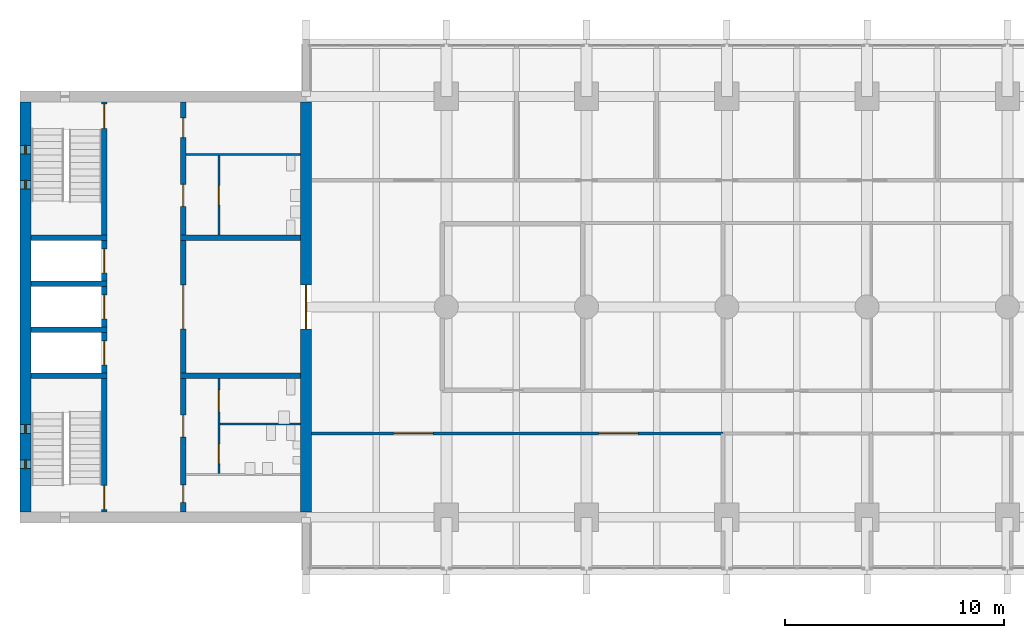
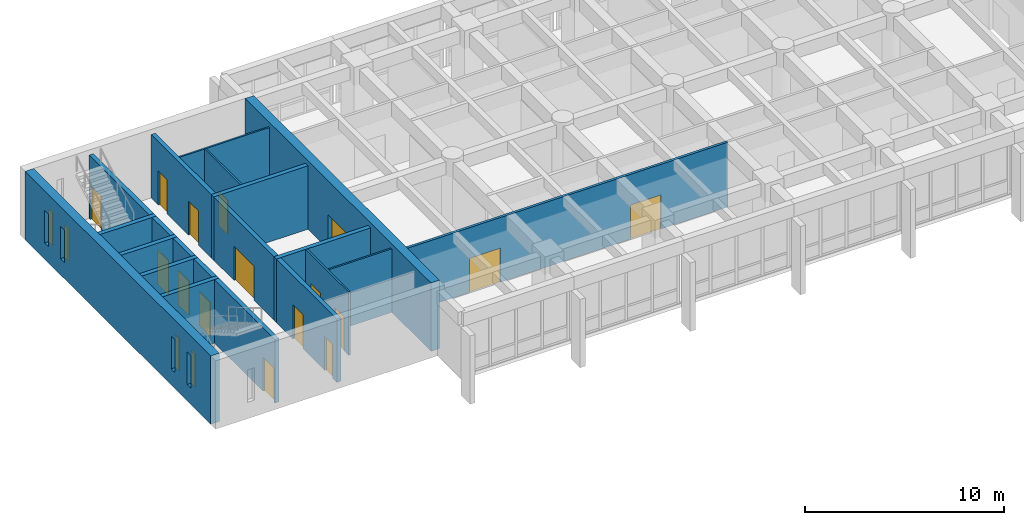
# One storey, part 11 of 18: 21 walls, 16 doors, 4 windows, 20 openings.
"""IFC4 building model written with IfcOpenShell, lengths in metres."""

from ifc_helpers import new_model, si_unit, direction, frame, frame_2d, origin, place, context, subcontext, project, spatial, rectangle, extrude, material, layer, layer_set, type_object, element, fill, save


model = new_model("IFC4")

# Units and contexts
model_context = context("Model", 3, precision=1e-05, world=origin(), true_north=direction((0.0, 1.0)))
body_context = subcontext(model_context, "Body", "Model", "MODEL_VIEW")
ifc_project = project(units=[si_unit("LENGTHUNIT", "METRE"), si_unit("AREAUNIT", "SQUARE_METRE"), si_unit("VOLUMEUNIT", "CUBIC_METRE"), si_unit("PLANEANGLEUNIT", "RADIAN"), si_unit("MASSUNIT", "GRAM", prefix="KILO")], contexts=[model_context])

# Site, building, storey
site_placement = place(None, origin())
site = spatial("IfcSite", under=ifc_project, at=site_placement, CompositionType="ELEMENT")
building_placement = place(site_placement, origin())
building = spatial("IfcBuilding", under=site, at=building_placement, Name="Fogon Plaza Fire Station and Headquarters Tower", CompositionType="ELEMENT")
storey_placement = place(building_placement, frame((0.0, 0.0, 12.89990234375)))
storey = spatial("IfcBuildingStorey", under=building, at=storey_placement, Name="L03", CompositionType="ELEMENT", Elevation=12.89990234375)

# Walls
ifc_material_1 = material(Name="Concrete C40", Category="concrete")
ifc_layer_1 = layer(ifc_material_1, 0.25)
ifc_layer_set_1 = layer_set([ifc_layer_1], Name="Concrete C40")
wall_type_1 = type_object("IfcWallType", Name="Core Wall RC 250", PredefinedType="SOLIDWALL", material=ifc_layer_set_1)
for number, where, z_axis, x_axis, name in (
    (1, (13.050048828125, 40.050048828125, 0.0), (0.0, 0.0, 1.0), (1.0, 0.0, 0.0), "Core A shaft wall"),
    (2, (13.050048828125, 42.14990234375, 0.0), (0.0, 0.0, 1.0), (1.0, 0.0, 0.0), "Core A shaft wall"),
    (3, (13.050048828125, 44.25, 0.0), (0.0, 0.0, 1.0), (1.0, 0.0, 0.0), "Core A shaft wall"),
    (4, (13.050048828125, 46.35009765625, 0.0), (0.0, 0.0, 1.0), (1.0, 0.0, 0.0), "Core A shaft wall"),
):
    element("IfcWall", number, at=place(storey_placement, frame(where, z_axis=z_axis, x_axis=x_axis)), inside=storey, type_object=wall_type_1, Name=name, PredefinedType="SOLIDWALL", context=body_context, shape_type="SweptSolid", body=[
        extrude(rectangle(XDim=3.474853515625, YDim=0.25, at=frame_2d((1.7373046875, 0.0))), origin(), (0.0, 0.0, 1.0), 3.900146484375),
    ])

# Wall, opening, door
wall_1_placement = place(storey_placement, frame((16.39990234375, 33.85009765625, 0.0), z_axis=(0.0, 0.0, 1.0), x_axis=(0.0, 1.0, 0.0)))
wall_1 = element("IfcWall", 5, at=wall_1_placement, inside=storey, type_object=wall_type_1, Name="Core A shaft wall", PredefinedType="SOLIDWALL", context=body_context, shape_type="SweptSolid", body=[
    extrude(rectangle(XDim=6.074951171875, YDim=0.25, at=frame_2d((3.03759765625, 0.0))), origin(), (0.0, 0.0, 1.0), 3.900146484375),
])
opening_1_placement = place(wall_1_placement, frame((0.10009765625, 0.0, 0.0)))
opening_1 = element("IfcOpeningElement", 6, at=opening_1_placement, cuts=wall_1, Name="Opening L03-D01", PredefinedType="OPENING", context=body_context, shape_type="SweptSolid", body=[
    extrude(rectangle(XDim=1.10009765625, YDim=2.10009765625, at=frame_2d((0.550048828125, 1.050048828125))), frame((0.0, 0.135009765625, 0.0), z_axis=(0.0, -1.0, 0.0), x_axis=(1.0, 0.0, 0.0)), (0.0, 0.0, 1.0), 0.27001953125),
])
ifc_material_2 = material(Name="Steel Fire Door Leaf", Category="steel")
door_type_1 = type_object("IfcDoorType", Name="Stair Door Single 1100x2100", OperationType="SINGLE_SWING_LEFT", PredefinedType="DOOR", material=ifc_material_2)
door_1_placement = place(opening_1_placement, origin())
door_1 = element("IfcDoor", 7, at=door_1_placement, inside=storey, type_object=door_type_1, Name="Stair door ST1", OperationType="SINGLE_SWING_LEFT", OverallHeight=2.10009765625, OverallWidth=1.10009765625, PredefinedType="DOOR", context=body_context, shape_type="SweptSolid", body=[
    extrude(rectangle(XDim=1.10009765625, YDim=2.10009765625, at=frame_2d((0.550048828125, 1.050048828125))), frame((0.0, 0.02490234375, 0.0), z_axis=(0.0, -1.0, 0.0), x_axis=(1.0, 0.0, 0.0)), (0.0, 0.0, 1.0), 0.050048828125),
])
fill(opening_1, door_1)

wall_2_placement = place(storey_placement, frame((16.39990234375, 40.175048828125, 0.0), z_axis=(0.0, 0.0, 1.0), x_axis=(0.0, 1.0, 0.0)))
wall_2 = element("IfcWall", 8, at=wall_2_placement, inside=storey, type_object=wall_type_1, Name="Core A shaft wall", PredefinedType="SOLIDWALL", context=body_context, shape_type="SweptSolid", body=[
    extrude(rectangle(XDim=1.849853515625, YDim=0.25, at=frame_2d((0.9248046875, 0.0))), origin(), (0.0, 0.0, 1.0), 3.900146484375),
])
opening_2_placement = place(wall_2_placement, frame((0.375, 0.0, 0.0)))
opening_2 = element("IfcOpeningElement", 9, at=opening_2_placement, cuts=wall_2, Name="Opening L03-D03", PredefinedType="OPENING", context=body_context, shape_type="SweptSolid", body=[
    extrude(rectangle(XDim=1.10009765625, YDim=2.10009765625, at=frame_2d((0.550048828125, 1.050048828125))), frame((0.0, 0.135009765625, 0.0), z_axis=(0.0, -1.0, 0.0), x_axis=(1.0, 0.0, 0.0)), (0.0, 0.0, 1.0), 0.27001953125),
])
ifc_material_3 = material(Name="Stainless Steel", Category="steel")
door_type_2 = type_object("IfcDoorType", Name="Lift Landing Door 1100x2100", OperationType="SLIDING_TO_LEFT", PredefinedType="DOOR", material=ifc_material_3)
door_2_placement = place(opening_2_placement, origin())
door_2 = element("IfcDoor", 10, at=door_2_placement, inside=storey, type_object=door_type_2, Name="Lift LP1 landing door", OperationType="SLIDING_TO_LEFT", OverallHeight=2.10009765625, OverallWidth=1.10009765625, PredefinedType="DOOR", context=body_context, shape_type="SweptSolid", body=[
    extrude(rectangle(XDim=1.10009765625, YDim=2.10009765625, at=frame_2d((0.550048828125, 1.050048828125))), frame((0.0, 0.02490234375, 0.0), z_axis=(0.0, -1.0, 0.0), x_axis=(1.0, 0.0, 0.0)), (0.0, 0.0, 1.0), 0.050048828125),
])
fill(opening_2, door_2)

wall_3_placement = place(storey_placement, frame((16.39990234375, 42.27490234375, 0.0), z_axis=(0.0, 0.0, 1.0), x_axis=(0.0, 1.0, 0.0)))
wall_3 = element("IfcWall", 11, at=wall_3_placement, inside=storey, type_object=wall_type_1, Name="Core A shaft wall", PredefinedType="SOLIDWALL", context=body_context, shape_type="SweptSolid", body=[
    extrude(rectangle(XDim=1.85009765625, YDim=0.25, at=frame_2d((0.925048828125, 0.0))), origin(), (0.0, 0.0, 1.0), 3.900146484375),
])
opening_3_placement = place(wall_3_placement, frame((0.375, 0.0, 0.0)))
opening_3 = element("IfcOpeningElement", 12, at=opening_3_placement, cuts=wall_3, Name="Opening L03-D04", PredefinedType="OPENING", context=body_context, shape_type="SweptSolid", body=[
    extrude(rectangle(XDim=1.10009765625, YDim=2.10009765625, at=frame_2d((0.550048828125, 1.050048828125))), frame((0.0, 0.135009765625, 0.0), z_axis=(0.0, -1.0, 0.0), x_axis=(1.0, 0.0, 0.0)), (0.0, 0.0, 1.0), 0.27001953125),
])
door_3_placement = place(opening_3_placement, origin())
door_3 = element("IfcDoor", 13, at=door_3_placement, inside=storey, type_object=door_type_2, Name="Lift LP2 landing door", OperationType="SLIDING_TO_LEFT", OverallHeight=2.10009765625, OverallWidth=1.10009765625, PredefinedType="DOOR", context=body_context, shape_type="SweptSolid", body=[
    extrude(rectangle(XDim=1.10009765625, YDim=2.10009765625, at=frame_2d((0.550048828125, 1.050048828125))), frame((0.0, 0.02490234375, 0.0), z_axis=(0.0, -1.0, 0.0), x_axis=(1.0, 0.0, 0.0)), (0.0, 0.0, 1.0), 0.050048828125),
])
fill(opening_3, door_3)

wall_4_placement = place(storey_placement, frame((16.39990234375, 44.375, 0.0), z_axis=(0.0, 0.0, 1.0), x_axis=(0.0, 1.0, 0.0)))
wall_4 = element("IfcWall", 14, at=wall_4_placement, inside=storey, type_object=wall_type_1, Name="Core A shaft wall", PredefinedType="SOLIDWALL", context=body_context, shape_type="SweptSolid", body=[
    extrude(rectangle(XDim=1.85009765625, YDim=0.25, at=frame_2d((0.925048828125, 0.0))), origin(), (0.0, 0.0, 1.0), 3.900146484375),
])
opening_4_placement = place(wall_4_placement, frame((0.375, 0.0, 0.0)))
opening_4 = element("IfcOpeningElement", 15, at=opening_4_placement, cuts=wall_4, Name="Opening L03-D05", PredefinedType="OPENING", context=body_context, shape_type="SweptSolid", body=[
    extrude(rectangle(XDim=1.10009765625, YDim=2.10009765625, at=frame_2d((0.550048828125, 1.050048828125))), frame((0.0, 0.135009765625, 0.0), z_axis=(0.0, -1.0, 0.0), x_axis=(1.0, 0.0, 0.0)), (0.0, 0.0, 1.0), 0.27001953125),
])
door_4_placement = place(opening_4_placement, origin())
door_4 = element("IfcDoor", 16, at=door_4_placement, inside=storey, type_object=door_type_2, Name="Lift FL1 landing door", OperationType="SLIDING_TO_LEFT", OverallHeight=2.10009765625, OverallWidth=1.10009765625, PredefinedType="DOOR", context=body_context, shape_type="SweptSolid", body=[
    extrude(rectangle(XDim=1.10009765625, YDim=2.10009765625, at=frame_2d((0.550048828125, 1.050048828125))), frame((0.0, 0.02490234375, 0.0), z_axis=(0.0, -1.0, 0.0), x_axis=(1.0, 0.0, 0.0)), (0.0, 0.0, 1.0), 0.050048828125),
])
fill(opening_4, door_4)

wall_5_placement = place(storey_placement, frame((16.39990234375, 46.47509765625, 0.0), z_axis=(0.0, 0.0, 1.0), x_axis=(0.0, 1.0, 0.0)))
wall_5 = element("IfcWall", 17, at=wall_5_placement, inside=storey, type_object=wall_type_1, Name="Core A shaft wall", PredefinedType="SOLIDWALL", context=body_context, shape_type="SweptSolid", body=[
    extrude(rectangle(XDim=6.074951171875, YDim=0.25, at=frame_2d((3.03759765625, 0.0))), origin(), (0.0, 0.0, 1.0), 3.900146484375),
])
opening_5_placement = place(wall_5_placement, frame((4.875, 0.0, 0.0)))
opening_5 = element("IfcOpeningElement", 18, at=opening_5_placement, cuts=wall_5, Name="Opening L03-D02", PredefinedType="OPENING", context=body_context, shape_type="SweptSolid", body=[
    extrude(rectangle(XDim=1.10009765625, YDim=2.10009765625, at=frame_2d((0.550048828125, 1.050048828125))), frame((0.0, 0.135009765625, 0.0), z_axis=(0.0, -1.0, 0.0), x_axis=(1.0, 0.0, 0.0)), (0.0, 0.0, 1.0), 0.27001953125),
])
door_5_placement = place(opening_5_placement, origin())
door_5 = element("IfcDoor", 19, at=door_5_placement, inside=storey, type_object=door_type_1, Name="Stair door ST2", OperationType="SINGLE_SWING_RIGHT", OverallHeight=2.10009765625, OverallWidth=1.10009765625, PredefinedType="DOOR", context=body_context, shape_type="SweptSolid", body=[
    extrude(rectangle(XDim=1.10009765625, YDim=2.10009765625, at=frame_2d((0.550048828125, 1.050048828125))), frame((0.0, 0.02490234375, 0.0), z_axis=(0.0, -1.0, 0.0), x_axis=(1.0, 0.0, 0.0)), (0.0, 0.0, 1.0), 0.050048828125),
])
fill(opening_5, door_5)

# Wall, openings, doors
wall_6_placement = place(storey_placement, frame((20.0, 33.85009765625, 0.0), z_axis=(0.0, 0.0, 1.0), x_axis=(0.0, 1.0, 0.0)))
wall_6 = element("IfcWall", 20, at=wall_6_placement, inside=storey, type_object=wall_type_1, Name="Core A shaft wall", PredefinedType="SOLIDWALL", context=body_context, shape_type="SweptSolid", body=[
    extrude(rectangle(XDim=6.074951171875, YDim=0.25, at=frame_2d((3.03759765625, 0.0))), origin(), (0.0, 0.0, 1.0), 3.900146484375),
])
opening_6_placement = place(wall_6_placement, frame((0.425048828125, 0.0, 0.0)))
opening_6 = element("IfcOpeningElement", 21, at=opening_6_placement, cuts=wall_6, Name="Opening L03-D08", PredefinedType="OPENING", context=body_context, shape_type="SweptSolid", body=[
    extrude(rectangle(XDim=0.800048828125, YDim=2.10009765625, at=frame_2d((0.39990234375, 1.050048828125))), frame((0.0, 0.135009765625, 0.0), z_axis=(0.0, -1.0, 0.0), x_axis=(1.0, 0.0, 0.0)), (0.0, 0.0, 1.0), 0.27001953125),
])
opening_7_placement = place(wall_6_placement, frame((3.41259765625, 0.0, 0.0)))
opening_7 = element("IfcOpeningElement", 22, at=opening_7_placement, cuts=wall_6, Name="Opening L03-D09", PredefinedType="OPENING", context=body_context, shape_type="SweptSolid", body=[
    extrude(rectangle(XDim=1.0, YDim=2.10009765625, at=frame_2d((0.5, 1.050048828125))), frame((0.0, 0.135009765625, 0.0), z_axis=(0.0, -1.0, 0.0), x_axis=(1.0, 0.0, 0.0)), (0.0, 0.0, 1.0), 0.27001953125),
])
ifc_material_4 = material(Name="Timber Door Leaf", Category="wood")
door_type_3 = type_object("IfcDoorType", Name="Cleaner Store Single 800x2100", OperationType="SINGLE_SWING_LEFT", PredefinedType="DOOR", material=ifc_material_4)
door_6_placement = place(opening_6_placement, frame((0.800048828125, 0.0, 0.0), z_axis=(0.0, 0.0, 1.0), x_axis=(-1.0, 0.0, 0.0)))
door_6 = element("IfcDoor", 23, at=door_6_placement, inside=storey, type_object=door_type_3, Name="Cleaner's store A door", OperationType="SINGLE_SWING_LEFT", OverallHeight=2.10009765625, OverallWidth=0.800048828125, PredefinedType="DOOR", context=body_context, shape_type="SweptSolid", body=[
    extrude(rectangle(XDim=0.800048828125, YDim=2.10009765625, at=frame_2d((0.39990234375, 1.050048828125))), frame((0.0, 0.02490234375, 0.0), z_axis=(0.0, -1.0, 0.0), x_axis=(1.0, 0.0, 0.0)), (0.0, 0.0, 1.0), 0.050048828125),
])
fill(opening_6, door_6)
ifc_material_5 = material(Name="Timber fire door", Category="wood")
door_type_4 = type_object("IfcDoorType", Name="WC Lobby Single 1000x2100", OperationType="SINGLE_SWING_LEFT", PredefinedType="DOOR", material=ifc_material_5)
door_7_placement = place(opening_7_placement, frame((1.0, 0.0, 0.0), z_axis=(0.0, 0.0, 1.0), x_axis=(-1.0, 0.0, 0.0)))
door_7 = element("IfcDoor", 24, at=door_7_placement, inside=storey, type_object=door_type_4, Name="Men's WC lobby A door", OperationType="SINGLE_SWING_RIGHT", OverallHeight=2.10009765625, OverallWidth=1.0, PredefinedType="DOOR", context=body_context, shape_type="SweptSolid", body=[
    extrude(rectangle(XDim=1.0, YDim=2.10009765625, at=frame_2d((0.5, 1.050048828125))), frame((0.0, 0.02490234375, 0.0), z_axis=(0.0, -1.0, 0.0), x_axis=(1.0, 0.0, 0.0)), (0.0, 0.0, 1.0), 0.050048828125),
])
fill(opening_7, door_7)

# Wall, opening, door
wall_7_placement = place(storey_placement, frame((20.0, 40.175048828125, 0.0), z_axis=(0.0, 0.0, 1.0), x_axis=(0.0, 1.0, 0.0)))
wall_7 = element("IfcWall", 25, at=wall_7_placement, inside=storey, type_object=wall_type_1, Name="Core A shaft wall", PredefinedType="SOLIDWALL", context=body_context, shape_type="SweptSolid", body=[
    extrude(rectangle(XDim=6.050048828125, YDim=0.25, at=frame_2d((3.02490234375, 0.0))), origin(), (0.0, 0.0, 1.0), 3.900146484375),
])
opening_8_placement = place(wall_7_placement, frame((2.02490234375, 0.0, 0.0)))
opening_8 = element("IfcOpeningElement", 26, at=opening_8_placement, cuts=wall_7, Name="Opening L03-D06", PredefinedType="OPENING", context=body_context, shape_type="SweptSolid", body=[
    extrude(rectangle(XDim=2.0, YDim=2.10009765625, at=frame_2d((1.0, 1.050048828125))), frame((0.0, 0.135009765625, 0.0), z_axis=(0.0, -1.0, 0.0), x_axis=(1.0, 0.0, 0.0)), (0.0, 0.0, 1.0), 0.27001953125),
])
ifc_material_6 = material(Name="Steel Fire Door Leaf", Category="steel")
door_type_5 = type_object("IfcDoorType", Name="Vestibule Double 2000x2100", OperationType="DOUBLE_DOOR_SINGLE_SWING", PredefinedType="DOOR", material=ifc_material_6)
door_8_placement = place(opening_8_placement, frame((2.0, 0.0, 0.0), z_axis=(0.0, 0.0, 1.0), x_axis=(-1.0, 0.0, 0.0)))
door_8 = element("IfcDoor", 27, at=door_8_placement, inside=storey, type_object=door_type_5, Name="Vestibule A door", OperationType="DOUBLE_DOOR_SINGLE_SWING", OverallHeight=2.10009765625, OverallWidth=2.0, PredefinedType="DOOR", context=body_context, shape_type="SweptSolid", body=[
    extrude(rectangle(XDim=2.0, YDim=2.10009765625, at=frame_2d((1.0, 1.050048828125))), frame((0.0, 0.02490234375, 0.0), z_axis=(0.0, -1.0, 0.0), x_axis=(1.0, 0.0, 0.0)), (0.0, 0.0, 1.0), 0.050048828125),
])
fill(opening_8, door_8)

# Wall, openings, doors
wall_8_placement = place(storey_placement, frame((20.0, 46.47509765625, 0.0), z_axis=(0.0, 0.0, 1.0), x_axis=(0.0, 1.0, 0.0)))
wall_8 = element("IfcWall", 28, at=wall_8_placement, inside=storey, type_object=wall_type_1, Name="Core A shaft wall", PredefinedType="SOLIDWALL", context=body_context, shape_type="SweptSolid", body=[
    extrude(rectangle(XDim=6.074951171875, YDim=0.25, at=frame_2d((3.03759765625, 0.0))), origin(), (0.0, 0.0, 1.0), 3.900146484375),
])
opening_9_placement = place(wall_8_placement, frame((1.3125, 0.0, 0.0)))
opening_9 = element("IfcOpeningElement", 29, at=opening_9_placement, cuts=wall_8, Name="Opening L03-D12", PredefinedType="OPENING", context=body_context, shape_type="SweptSolid", body=[
    extrude(rectangle(XDim=1.0, YDim=2.10009765625, at=frame_2d((0.5, 1.050048828125))), frame((0.0, 0.135009765625, 0.0), z_axis=(0.0, -1.0, 0.0), x_axis=(1.0, 0.0, 0.0)), (0.0, 0.0, 1.0), 0.27001953125),
])
opening_10_placement = place(wall_8_placement, frame((4.449951171875, 0.0, 0.0)))
opening_10 = element("IfcOpeningElement", 30, at=opening_10_placement, cuts=wall_8, Name="Opening L03-D14", PredefinedType="OPENING", context=body_context, shape_type="SweptSolid", body=[
    extrude(rectangle(XDim=0.89990234375, YDim=2.10009765625, at=frame_2d((0.449951171875, 1.050048828125))), frame((0.0, 0.135009765625, 0.0), z_axis=(0.0, -1.0, 0.0), x_axis=(1.0, 0.0, 0.0)), (0.0, 0.0, 1.0), 0.27001953125),
])
ifc_material_7 = material(Name="Steel Fire Door Leaf", Category="steel")
door_type_6 = type_object("IfcDoorType", Name="Riser Single 900x2100", OperationType="SINGLE_SWING_LEFT", PredefinedType="DOOR", material=ifc_material_7)
door_9_placement = place(opening_10_placement, frame((0.89990234375, 0.0, 0.0), z_axis=(0.0, 0.0, 1.0), x_axis=(-1.0, 0.0, 0.0)))
door_9 = element("IfcDoor", 31, at=door_9_placement, inside=storey, type_object=door_type_6, Name="Riser room A door", OperationType="SINGLE_SWING_LEFT", OverallHeight=2.10009765625, OverallWidth=0.89990234375, PredefinedType="DOOR", context=body_context, shape_type="SweptSolid", body=[
    extrude(rectangle(XDim=0.89990234375, YDim=2.10009765625, at=frame_2d((0.449951171875, 1.050048828125))), frame((0.0, 0.02490234375, 0.0), z_axis=(0.0, -1.0, 0.0), x_axis=(1.0, 0.0, 0.0)), (0.0, 0.0, 1.0), 0.050048828125),
])
fill(opening_10, door_9)
door_10_placement = place(opening_9_placement, frame((1.0, 0.0, 0.0), z_axis=(0.0, 0.0, 1.0), x_axis=(-1.0, 0.0, 0.0)))
door_10 = element("IfcDoor", 32, at=door_10_placement, inside=storey, type_object=door_type_4, Name="Women's WC lobby A door", OperationType="SINGLE_SWING_LEFT", OverallHeight=2.10009765625, OverallWidth=1.0, PredefinedType="DOOR", context=body_context, shape_type="SweptSolid", body=[
    extrude(rectangle(XDim=1.0, YDim=2.10009765625, at=frame_2d((0.5, 1.050048828125))), frame((0.0, 0.02490234375, 0.0), z_axis=(0.0, -1.0, 0.0), x_axis=(1.0, 0.0, 0.0)), (0.0, 0.0, 1.0), 0.050048828125),
])
fill(opening_9, door_10)

# Walls
for number, where, z_axis, x_axis, name in (
    (33, (19.875, 40.050048828125, 0.0), (0.0, 0.0, 1.0), (1.0, 0.0, 0.0), "Core A shaft wall"),
    (34, (19.875, 46.35009765625, 0.0), (0.0, 0.0, 1.0), (1.0, 0.0, 0.0), "Core A shaft wall"),
):
    element("IfcWall", number, at=place(storey_placement, frame(where, z_axis=z_axis, x_axis=x_axis)), inside=storey, type_object=wall_type_1, Name=name, PredefinedType="SOLIDWALL", context=body_context, shape_type="SweptSolid", body=[
        extrude(rectangle(XDim=5.47509765625, YDim=0.25, at=frame_2d((2.737548828125, 0.0))), origin(), (0.0, 0.0, 1.0), 3.900146484375),
    ])

# Wall, openings, doors
ifc_material_8 = material(Name="Blockwork", Category="masonry")
ifc_layer_2 = layer(ifc_material_8, 0.10009765625)
ifc_layer_set_2 = layer_set([ifc_layer_2], Name="Blockwork")
wall_type_2 = type_object("IfcWallType", Name="Partition Blockwork 100", PredefinedType="PARTITIONING", material=ifc_layer_set_2)
wall_9_placement = place(storey_placement, frame((21.625, 35.60009765625, 0.0), z_axis=(0.0, 0.0, 1.0), x_axis=(0.0, 1.0, 0.0)))
wall_9 = element("IfcWall", 35, at=wall_9_placement, inside=storey, type_object=wall_type_2, Name="WC block partition", PredefinedType="PARTITIONING", context=body_context, shape_type="SweptSolid", body=[
    extrude(rectangle(XDim=4.324951171875, YDim=0.10009765625, at=frame_2d((2.16259765625, 0.0))), origin(), (0.0, 0.0, 1.0), 3.900146484375),
])
opening_11_placement = place(wall_9_placement, frame((0.449951171875, 0.0, 0.0)))
opening_11 = element("IfcOpeningElement", 36, at=opening_11_placement, cuts=wall_9, Name="Opening L03-D10", PredefinedType="OPENING", context=body_context, shape_type="SweptSolid", body=[
    extrude(rectangle(XDim=0.89990234375, YDim=2.10009765625, at=frame_2d((0.449951171875, 1.050048828125))), frame((0.0, 0.06005859375, 0.0), z_axis=(0.0, -1.0, 0.0), x_axis=(1.0, 0.0, 0.0)), (0.0, 0.0, 1.0), 0.1201171875),
])
opening_12_placement = place(wall_9_placement, frame((2.8125, 0.0, 0.0)))
opening_12 = element("IfcOpeningElement", 37, at=opening_12_placement, cuts=wall_9, Name="Opening L03-D11", PredefinedType="OPENING", context=body_context, shape_type="SweptSolid", body=[
    extrude(rectangle(XDim=1.0, YDim=2.10009765625, at=frame_2d((0.5, 1.050048828125))), frame((0.0, 0.06005859375, 0.0), z_axis=(0.0, -1.0, 0.0), x_axis=(1.0, 0.0, 0.0)), (0.0, 0.0, 1.0), 0.1201171875),
])
ifc_material_9 = material(Name="Timber Door Leaf", Category="wood")
door_type_7 = type_object("IfcDoorType", Name="Accessible WC Single 1000x2100", OperationType="SINGLE_SWING_LEFT", PredefinedType="DOOR", material=ifc_material_9)
door_11_placement = place(opening_12_placement, frame((1.0, 0.0, 0.0), z_axis=(0.0, 0.0, 1.0), x_axis=(-1.0, 0.0, 0.0)))
door_11 = element("IfcDoor", 38, at=door_11_placement, inside=storey, type_object=door_type_7, Name="Accessible WC A door", OperationType="SINGLE_SWING_RIGHT", OverallHeight=2.10009765625, OverallWidth=1.0, PredefinedType="DOOR", context=body_context, shape_type="SweptSolid", body=[
    extrude(rectangle(XDim=1.0, YDim=2.10009765625, at=frame_2d((0.5, 1.050048828125))), frame((0.0, 0.02490234375, 0.0), z_axis=(0.0, -1.0, 0.0), x_axis=(1.0, 0.0, 0.0)), (0.0, 0.0, 1.0), 0.050048828125),
])
fill(opening_12, door_11)
ifc_material_10 = material(Name="Timber Door Leaf", Category="wood")
door_type_8 = type_object("IfcDoorType", Name="WC Single 900x2100", OperationType="SINGLE_SWING_LEFT", PredefinedType="DOOR", material=ifc_material_10)
door_12_placement = place(opening_11_placement, frame((0.89990234375, 0.0, 0.0), z_axis=(0.0, 0.0, 1.0), x_axis=(-1.0, 0.0, 0.0)))
door_12 = element("IfcDoor", 39, at=door_12_placement, inside=storey, type_object=door_type_8, Name="Men's WC A door", OperationType="SINGLE_SWING_RIGHT", OverallHeight=2.10009765625, OverallWidth=0.89990234375, PredefinedType="DOOR", context=body_context, shape_type="SweptSolid", body=[
    extrude(rectangle(XDim=0.89990234375, YDim=2.10009765625, at=frame_2d((0.449951171875, 1.050048828125))), frame((0.0, 0.02490234375, 0.0), z_axis=(0.0, -1.0, 0.0), x_axis=(1.0, 0.0, 0.0)), (0.0, 0.0, 1.0), 0.050048828125),
])
fill(opening_11, door_12)

# Wall
wall_10_placement = place(storey_placement, frame((21.675048828125, 37.85009765625, 0.0), z_axis=(0.0, 0.0, 1.0), x_axis=(1.0, 0.0, 0.0)))
element("IfcWall", 40, at=wall_10_placement, inside=storey, type_object=wall_type_2, Name="WC block partition", PredefinedType="PARTITIONING", context=body_context, shape_type="SweptSolid", body=[
    extrude(rectangle(XDim=3.675048828125, YDim=0.10009765625, at=frame_2d((1.83740234375, 0.0))), origin(), (0.0, 0.0, 1.0), 3.900146484375),
])

# Wall, opening, door
wall_11_placement = place(storey_placement, frame((21.625, 46.47509765625, 0.0), z_axis=(0.0, 0.0, 1.0), x_axis=(0.0, 1.0, 0.0)))
wall_11 = element("IfcWall", 41, at=wall_11_placement, inside=storey, type_object=wall_type_2, Name="WC block partition", PredefinedType="PARTITIONING", context=body_context, shape_type="SweptSolid", body=[
    extrude(rectangle(XDim=3.625, YDim=0.10009765625, at=frame_2d((1.8125, 0.0))), origin(), (0.0, 0.0, 1.0), 3.900146484375),
])
opening_13_placement = place(wall_11_placement, frame((1.362548828125, 0.0, 0.0)))
opening_13 = element("IfcOpeningElement", 42, at=opening_13_placement, cuts=wall_11, Name="Opening L03-D13", PredefinedType="OPENING", context=body_context, shape_type="SweptSolid", body=[
    extrude(rectangle(XDim=0.89990234375, YDim=2.10009765625, at=frame_2d((0.449951171875, 1.050048828125))), frame((0.0, 0.06005859375, 0.0), z_axis=(0.0, -1.0, 0.0), x_axis=(1.0, 0.0, 0.0)), (0.0, 0.0, 1.0), 0.1201171875),
])
door_13_placement = place(opening_13_placement, frame((0.89990234375, 0.0, 0.0), z_axis=(0.0, 0.0, 1.0), x_axis=(-1.0, 0.0, 0.0)))
door_13 = element("IfcDoor", 43, at=door_13_placement, inside=storey, type_object=door_type_8, Name="Women's WC A door", OperationType="SINGLE_SWING_RIGHT", OverallHeight=2.10009765625, OverallWidth=0.89990234375, PredefinedType="DOOR", context=body_context, shape_type="SweptSolid", body=[
    extrude(rectangle(XDim=0.89990234375, YDim=2.10009765625, at=frame_2d((0.449951171875, 1.050048828125))), frame((0.0, 0.02490234375, 0.0), z_axis=(0.0, -1.0, 0.0), x_axis=(1.0, 0.0, 0.0)), (0.0, 0.0, 1.0), 0.050048828125),
])
fill(opening_13, door_13)

# Wall
ifc_material_11 = material(Name="Blockwork", Category="masonry")
ifc_layer_3 = layer(ifc_material_11, 0.10009765625)
ifc_layer_set_3 = layer_set([ifc_layer_3], Name="Blockwork")
wall_type_3 = type_object("IfcWallType", Name="Riser Partition Blockwork 100", PredefinedType="PARTITIONING", material=ifc_layer_set_3)
wall_12_placement = place(storey_placement, frame((20.125, 50.14990234375, 0.0), z_axis=(0.0, 0.0, 1.0), x_axis=(1.0, 0.0, 0.0)))
element("IfcWall", 44, at=wall_12_placement, inside=storey, type_object=wall_type_3, Name="Riser room partition", PredefinedType="PARTITIONING", context=body_context, shape_type="SweptSolid", body=[
    extrude(rectangle(XDim=5.22509765625, YDim=0.10009765625, at=frame_2d((2.612548828125, 0.0))), origin(), (0.0, 0.0, 1.0), 3.900146484375),
])

# Wall, opening, door
ifc_material_12 = material(Name="Concrete C40", Category="concrete")
ifc_layer_4 = layer(ifc_material_12, 0.5)
ifc_layer_set_4 = layer_set([ifc_layer_4], Name="Concrete C40")
wall_type_4 = type_object("IfcWallType", Name="Shear wall 500 SW50", PredefinedType="SHEAR", material=ifc_layer_set_4)
wall_13_placement = place(storey_placement, frame((25.60009765625, 33.85009765625, 0.0), z_axis=(0.0, 0.0, 1.0), x_axis=(0.0, 1.0, 0.0)))
wall_13 = element("IfcWall", 45, at=wall_13_placement, inside=storey, type_object=wall_type_4, Name="wall-coreA-E-L03", PredefinedType="SHEAR", context=body_context, shape_type="SweptSolid", body=[
    extrude(rectangle(XDim=18.699951171875, YDim=0.5, at=frame_2d((9.35009765625, 0.0))), origin(), (0.0, 0.0, 1.0), 4.2001953125),
])
opening_14_placement = place(wall_13_placement, frame((8.35009765625, 0.0, 0.0)))
opening_14 = element("IfcOpeningElement", 46, at=opening_14_placement, cuts=wall_13, Name="Opening L03-D07", PredefinedType="OPENING", context=body_context, shape_type="SweptSolid", body=[
    extrude(rectangle(XDim=2.0, YDim=2.10009765625, at=frame_2d((1.0, 1.050048828125))), frame((0.0, 0.260009765625, 0.0), z_axis=(0.0, -1.0, 0.0), x_axis=(1.0, 0.0, 0.0)), (0.0, 0.0, 1.0), 0.52001953125),
])
door_14_placement = place(opening_14_placement, origin())
door_14 = element("IfcDoor", 47, at=door_14_placement, inside=storey, type_object=door_type_5, Name="Vestibule A door to the office zone", OperationType="DOUBLE_DOOR_SINGLE_SWING", OverallHeight=2.10009765625, OverallWidth=2.0, PredefinedType="DOOR", context=body_context, shape_type="SweptSolid", body=[
    extrude(rectangle(XDim=2.0, YDim=2.10009765625, at=frame_2d((1.0, 1.050048828125))), frame((0.0, 0.02490234375, 0.0), z_axis=(0.0, -1.0, 0.0), x_axis=(1.0, 0.0, 0.0)), (0.0, 0.0, 1.0), 0.050048828125),
])
fill(opening_14, door_14)

# Wall, openings, windows
wall_14_placement = place(storey_placement, frame((12.800048828125, 33.85009765625, 0.0), z_axis=(0.0, 0.0, 1.0), x_axis=(0.0, 1.0, 0.0)))
wall_14 = element("IfcWall", 48, at=wall_14_placement, inside=storey, type_object=wall_type_4, Name="wall-coreA-W-L03", PredefinedType="SHEAR", context=body_context, shape_type="SweptSolid", body=[
    extrude(rectangle(XDim=18.699951171875, YDim=0.5, at=frame_2d((9.35009765625, 0.0))), origin(), (0.0, 0.0, 1.0), 4.2001953125),
])
opening_15_placement = place(wall_14_placement, frame((1.97509765625, 0.0, 1.0)))
opening_15 = element("IfcOpeningElement", 49, at=opening_15_placement, cuts=wall_14, Name="Opening WS1", PredefinedType="OPENING", context=body_context, shape_type="SweptSolid", body=[
    extrude(rectangle(XDim=0.39990234375, YDim=2.0, at=frame_2d((0.199951171875, 1.0))), frame((0.0, 0.260009765625, 0.0), z_axis=(0.0, -1.0, 0.0), x_axis=(1.0, 0.0, 0.0)), (0.0, 0.0, 1.0), 0.52001953125),
])
opening_16_placement = place(wall_14_placement, frame((3.574951171875, 0.0, 1.0)))
opening_16 = element("IfcOpeningElement", 50, at=opening_16_placement, cuts=wall_14, Name="Opening WS1", PredefinedType="OPENING", context=body_context, shape_type="SweptSolid", body=[
    extrude(rectangle(XDim=0.39990234375, YDim=2.0, at=frame_2d((0.199951171875, 1.0))), frame((0.0, 0.260009765625, 0.0), z_axis=(0.0, -1.0, 0.0), x_axis=(1.0, 0.0, 0.0)), (0.0, 0.0, 1.0), 0.52001953125),
])
opening_17_placement = place(wall_14_placement, frame((14.72509765625, 0.0, 1.0)))
opening_17 = element("IfcOpeningElement", 51, at=opening_17_placement, cuts=wall_14, Name="Opening WS1", PredefinedType="OPENING", context=body_context, shape_type="SweptSolid", body=[
    extrude(rectangle(XDim=0.39990234375, YDim=2.0, at=frame_2d((0.199951171875, 1.0))), frame((0.0, 0.260009765625, 0.0), z_axis=(0.0, -1.0, 0.0), x_axis=(1.0, 0.0, 0.0)), (0.0, 0.0, 1.0), 0.52001953125),
])
opening_18_placement = place(wall_14_placement, frame((16.324951171875, 0.0, 1.0)))
opening_18 = element("IfcOpeningElement", 52, at=opening_18_placement, cuts=wall_14, Name="Opening WS1", PredefinedType="OPENING", context=body_context, shape_type="SweptSolid", body=[
    extrude(rectangle(XDim=0.39990234375, YDim=2.0, at=frame_2d((0.199951171875, 1.0))), frame((0.0, 0.260009765625, 0.0), z_axis=(0.0, -1.0, 0.0), x_axis=(1.0, 0.0, 0.0)), (0.0, 0.0, 1.0), 0.52001953125),
])
ifc_material_13 = material(Name="Aluminium framed double glazing", Category="aluminium")
window_type = type_object("IfcWindowType", Name="Slit Window WS1 400x2000", PartitioningType="SINGLE_PANEL", PredefinedType="WINDOW", material=ifc_material_13)
window_1_placement = place(opening_15_placement, origin())
window_1 = element("IfcWindow", 53, at=window_1_placement, inside=storey, type_object=window_type, Name="Slit window A1 L03", OverallHeight=2.0, OverallWidth=0.39990234375, PartitioningType="SINGLE_PANEL", PredefinedType="WINDOW", context=body_context, shape_type="SweptSolid", body=[
    extrude(rectangle(XDim=0.39990234375, YDim=2.0, at=frame_2d((0.199951171875, 1.0))), frame((0.0, 0.030029296875, 0.0), z_axis=(0.0, -1.0, 0.0), x_axis=(1.0, 0.0, 0.0)), (0.0, 0.0, 1.0), 0.06005859375),
])
fill(opening_15, window_1)
window_2_placement = place(opening_16_placement, origin())
window_2 = element("IfcWindow", 54, at=window_2_placement, inside=storey, type_object=window_type, Name="Slit window A2 L03", OverallHeight=2.0, OverallWidth=0.39990234375, PartitioningType="SINGLE_PANEL", PredefinedType="WINDOW", context=body_context, shape_type="SweptSolid", body=[
    extrude(rectangle(XDim=0.39990234375, YDim=2.0, at=frame_2d((0.199951171875, 1.0))), frame((0.0, 0.030029296875, 0.0), z_axis=(0.0, -1.0, 0.0), x_axis=(1.0, 0.0, 0.0)), (0.0, 0.0, 1.0), 0.06005859375),
])
fill(opening_16, window_2)
window_3_placement = place(opening_17_placement, origin())
window_3 = element("IfcWindow", 55, at=window_3_placement, inside=storey, type_object=window_type, Name="Slit window A3 L03", OverallHeight=2.0, OverallWidth=0.39990234375, PartitioningType="SINGLE_PANEL", PredefinedType="WINDOW", context=body_context, shape_type="SweptSolid", body=[
    extrude(rectangle(XDim=0.39990234375, YDim=2.0, at=frame_2d((0.199951171875, 1.0))), frame((0.0, 0.030029296875, 0.0), z_axis=(0.0, -1.0, 0.0), x_axis=(1.0, 0.0, 0.0)), (0.0, 0.0, 1.0), 0.06005859375),
])
fill(opening_17, window_3)
window_4_placement = place(opening_18_placement, origin())
window_4 = element("IfcWindow", 56, at=window_4_placement, inside=storey, type_object=window_type, Name="Slit window A4 L03", OverallHeight=2.0, OverallWidth=0.39990234375, PartitioningType="SINGLE_PANEL", PredefinedType="WINDOW", context=body_context, shape_type="SweptSolid", body=[
    extrude(rectangle(XDim=0.39990234375, YDim=2.0, at=frame_2d((0.199951171875, 1.0))), frame((0.0, 0.030029296875, 0.0), z_axis=(0.0, -1.0, 0.0), x_axis=(1.0, 0.0, 0.0)), (0.0, 0.0, 1.0), 0.06005859375),
])
fill(opening_18, window_4)

# Wall, openings, doors
ifc_material_14 = material(Name="Gypsum board on steel stud", Category="steel")
ifc_layer_5 = layer(ifc_material_14, 0.14990234375)
ifc_layer_set_5 = layer_set([ifc_layer_5], Name="Gypsum board on steel stud")
wall_type_5 = type_object("IfcWallType", Name="Tower corridor partition 150 EI 60", PredefinedType="PARTITIONING", material=ifc_layer_set_5)
wall_15_placement = place(storey_placement, frame((25.85009765625, 37.425048828125, 0.0), z_axis=(0.0, 0.0, 1.0), x_axis=(1.0, 0.0, 0.0)))
wall_15 = element("IfcWall", 57, at=wall_15_placement, inside=storey, type_object=wall_type_5, Name="part-L03-01", PredefinedType="PARTITIONING", context=body_context, shape_type="SweptSolid", body=[
    extrude(rectangle(XDim=18.77001953125, YDim=0.14990234375, at=frame_2d((9.385009765625, 0.0))), origin(), (0.0, 0.0, 1.0), 3.97998046875),
])
opening_19_placement = place(wall_15_placement, frame((3.75, 0.0, 0.0)))
opening_19 = element("IfcOpeningElement", 58, at=opening_19_placement, cuts=wall_15, Name="Opening L03-D29", PredefinedType="OPENING", context=body_context, shape_type="SweptSolid", body=[
    extrude(rectangle(XDim=1.800048828125, YDim=2.10009765625, at=frame_2d((0.89990234375, 1.050048828125))), frame((0.0, 0.0849609375, 0.0), z_axis=(0.0, -1.0, 0.0), x_axis=(1.0, 0.0, 0.0)), (0.0, 0.0, 1.0), 0.169921875),
])
opening_20_placement = place(wall_15_placement, frame((13.10009765625, 0.0, 0.0)))
opening_20 = element("IfcOpeningElement", 59, at=opening_20_placement, cuts=wall_15, Name="Opening L03-D30", PredefinedType="OPENING", context=body_context, shape_type="SweptSolid", body=[
    extrude(rectangle(XDim=1.800048828125, YDim=2.10009765625, at=frame_2d((0.89990234375, 1.050048828125))), frame((0.0, 0.0849609375, 0.0), z_axis=(0.0, -1.0, 0.0), x_axis=(1.0, 0.0, 0.0)), (0.0, 0.0, 1.0), 0.169921875),
])
ifc_material_15 = material(Name="Timber fire door", Category="wood")
door_type_9 = type_object("IfcDoorType", Name="Tower fire door double 1800 EI 20", OperationType="DOUBLE_DOOR_SINGLE_SWING", PredefinedType="DOOR", material=ifc_material_15)
door_15_placement = place(opening_19_placement, frame((1.800048828125, 0.0, 0.0), z_axis=(0.0, 0.0, 1.0), x_axis=(-1.0, 0.0, 0.0)))
door_15 = element("IfcDoor", 60, at=door_15_placement, inside=storey, type_object=door_type_9, Name="door-L03-01", OperationType="DOUBLE_DOOR_SINGLE_SWING", OverallHeight=2.10009765625, OverallWidth=1.800048828125, PredefinedType="DOOR", context=body_context, shape_type="SweptSolid", body=[
    extrude(rectangle(XDim=1.800048828125, YDim=2.10009765625, at=frame_2d((0.89990234375, 1.050048828125))), frame((0.0, 0.02490234375, 0.0), z_axis=(0.0, -1.0, 0.0), x_axis=(1.0, 0.0, 0.0)), (0.0, 0.0, 1.0), 0.050048828125),
])
fill(opening_19, door_15)
door_16_placement = place(opening_20_placement, frame((1.800048828125, 0.0, 0.0), z_axis=(0.0, 0.0, 1.0), x_axis=(-1.0, 0.0, 0.0)))
door_16 = element("IfcDoor", 61, at=door_16_placement, inside=storey, type_object=door_type_9, Name="door-L03-02", OperationType="DOUBLE_DOOR_SINGLE_SWING", OverallHeight=2.10009765625, OverallWidth=1.800048828125, PredefinedType="DOOR", context=body_context, shape_type="SweptSolid", body=[
    extrude(rectangle(XDim=1.800048828125, YDim=2.10009765625, at=frame_2d((0.89990234375, 1.050048828125))), frame((0.0, 0.02490234375, 0.0), z_axis=(0.0, -1.0, 0.0), x_axis=(1.0, 0.0, 0.0)), (0.0, 0.0, 1.0), 0.050048828125),
])
fill(opening_20, door_16)

save(model, "model.ifc")
